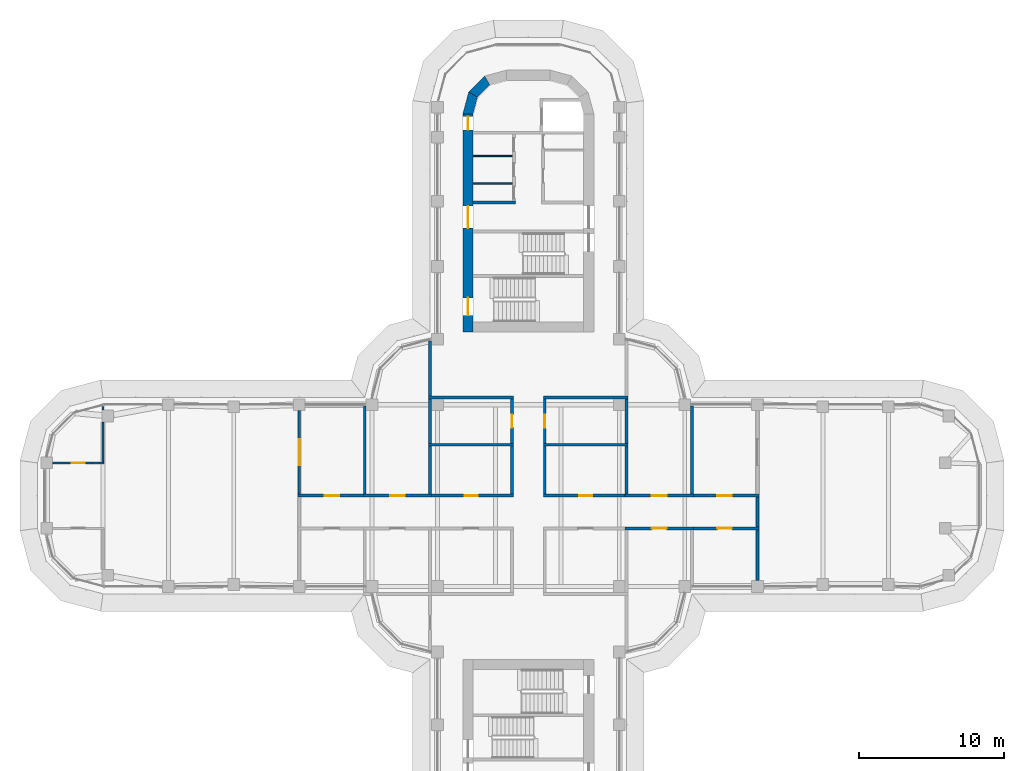
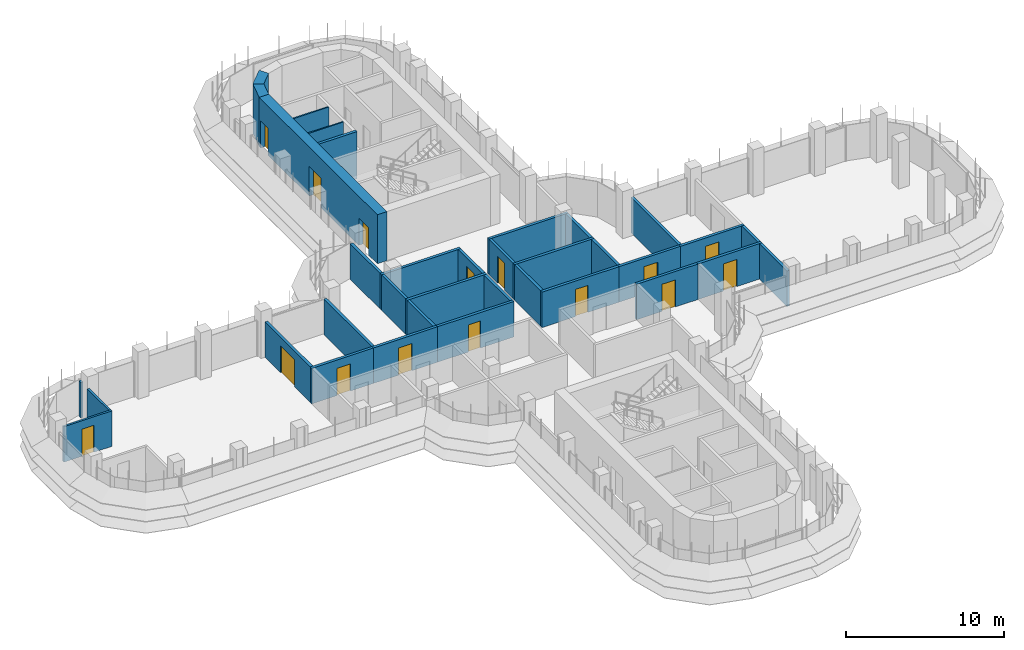
# One storey, part 14 of 20: 35 walls, 15 doors, 15 openings.
"""IFC4 building model written with IfcOpenShell, lengths in metres."""

from ifc_helpers import new_model, si_unit, direction, frame, frame_2d, origin, place, context, subcontext, project, spatial, polyline, rectangle, outline, extrude, material, layer, layer_set, type_object, element, fill, save


model = new_model("IFC4")

# Units and contexts
model_context = context("Model", 3, precision=1e-05, world=origin(), true_north=direction((0.0, 1.0)))
body_context = subcontext(model_context, "Body", "Model", "MODEL_VIEW")
ifc_project = project(units=[si_unit("LENGTHUNIT", "METRE"), si_unit("AREAUNIT", "SQUARE_METRE"), si_unit("VOLUMEUNIT", "CUBIC_METRE"), si_unit("PLANEANGLEUNIT", "RADIAN"), si_unit("MASSUNIT", "GRAM", prefix="KILO")], contexts=[model_context])

# Site, building, storey
site_placement = place(None, origin())
site = spatial("IfcSite", under=ifc_project, at=site_placement, CompositionType="ELEMENT")
building_placement = place(site_placement, origin())
building = spatial("IfcBuilding", under=site, at=building_placement, Name="Zarbagh Exchange Tower", CompositionType="ELEMENT")
storey_placement = place(building_placement, frame((0.0, 0.0, 163.800048828125)))
storey = spatial("IfcBuildingStorey", under=building, at=storey_placement, Name="L39", CompositionType="ELEMENT", Elevation=163.800048828125)

# Walls
ifc_material_1 = material(Name="Dense blockwork", Category="masonry")
ifc_layer_1 = layer(ifc_material_1, 0.10009765625)
ifc_layer_set_1 = layer_set([ifc_layer_1], Name="Core partition 100 mm blockwork")
wall_type_1 = type_object("IfcWallType", Name="Core partition 100 mm blockwork", PredefinedType="PARTITIONING", material=ifc_layer_set_1)
for number, where, z_axis, x_axis, name in (
    (1, (-3.800048828125, 23.35009765625, 0.0), (0.0, 0.0, 1.0), (1.0, 0.0, 0.0), "North core partition wall CUT-W-500"),
    (2, (-3.800048828125, 21.449951171875, 0.0), (0.0, 0.0, 1.0), (1.0, 0.0, 0.0), "North core partition wall CUT-W-690"),
):
    element("IfcWall", number, at=place(storey_placement, frame(where, z_axis=z_axis, x_axis=x_axis)), inside=storey, type_object=wall_type_1, Name=name, PredefinedType="PARTITIONING", context=body_context, shape_type="SweptSolid", body=[
        extrude(rectangle(XDim=2.699951171875, YDim=0.10009765625, at=frame_2d((1.35009765625, 0.0))), origin(), (0.0, 0.0, 1.0), 3.64990234375),
    ])

# Wall, opening, door
ifc_material_2 = material(Name="Plasterboard partition")
ifc_layer_2 = layer(ifc_material_2, 0.14990234375)
ifc_layer_set_2 = layer_set([ifc_layer_2], Name="PARTITION 150")
wall_type_2 = type_object("IfcWallType", Name="PARTITION 150", PredefinedType="PARTITIONING", material=ifc_layer_set_2)
wall_1_placement = place(storey_placement, frame((-32.7099609375, 2.25, 0.0), z_axis=(0.0, 0.0, 1.0), x_axis=(1.0, 0.0, 0.0)))
wall_1 = element("IfcWall", 3, at=wall_1_placement, inside=storey, type_object=wall_type_2, Name="Partition W-1746", PredefinedType="PARTITIONING", context=body_context, shape_type="SweptSolid", body=[
    extrude(rectangle(XDim=3.534912109375, YDim=0.14990234375, at=frame_2d((1.767578125, 0.0))), origin(), (0.0, 0.0, 1.0), 2.75),
])
opening_1_placement = place(wall_1_placement, frame((1.3173828125, 0.0, 0.0)))
opening_1 = element("IfcOpeningElement", 4, at=opening_1_placement, cuts=wall_1, Name="Opening D-1715", PredefinedType="OPENING", context=body_context, shape_type="SweptSolid", body=[
    extrude(rectangle(XDim=0.89990234375, YDim=2.10009765625, at=frame_2d((0.449951171875, 1.050048828125))), frame((0.0, 0.0849609375, 0.0), z_axis=(0.0, -1.0, 0.0), x_axis=(1.0, 0.0, 0.0)), (0.0, 0.0, 1.0), 0.169921875),
])
ifc_material_3 = material(Name="Timber door leaf", Category="wood")
door_type_1 = type_object("IfcDoorType", Name="DOOR 900 X 2100", OperationType="NOTDEFINED", PredefinedType="DOOR", material=ifc_material_3)
door_1_placement = place(opening_1_placement, origin())
door_1 = element("IfcDoor", 5, at=door_1_placement, inside=storey, type_object=door_type_1, Name="Door D-1715", OperationType="SINGLE_SWING_LEFT", OverallHeight=2.10009765625, OverallWidth=0.89990234375, PredefinedType="DOOR", context=body_context, shape_type="SweptSolid", body=[
    extrude(rectangle(XDim=0.89990234375, YDim=2.10009765625, at=frame_2d((0.449951171875, 1.050048828125))), frame((0.0, 0.02490234375, 0.0), z_axis=(0.0, -1.0, 0.0), x_axis=(1.0, 0.0, 0.0)), (0.0, 0.0, 1.0), 0.050048828125),
])
fill(opening_1, door_1)

# Walls
wall_2_placement = place(storey_placement, frame((-29.25, 2.324951171875, 0.0), z_axis=(0.0, 0.0, 1.0), x_axis=(0.0, 1.0, 0.0)))
element("IfcWall", 6, at=wall_2_placement, inside=storey, type_object=wall_type_2, Name="Partition W-1747", PredefinedType="PARTITIONING", context=body_context, shape_type="SweptSolid", body=[
    extrude(rectangle(XDim=2.75, YDim=0.14990234375, at=frame_2d((1.375, 0.0))), origin(), (0.0, 0.0, 1.0), 2.75),
])
wall_3_placement = place(storey_placement, frame((-29.25, 5.875, 0.0), z_axis=(0.0, 0.0, 1.0), x_axis=(0.0, 1.0, 0.0)))
element("IfcWall", 7, at=wall_3_placement, inside=storey, type_object=wall_type_2, Name="Partition W-1748", PredefinedType="PARTITIONING", context=body_context, shape_type="SweptSolid", body=[
    extrude(rectangle(XDim=0.2548828125, YDim=0.14990234375, at=frame_2d((0.12744140625, 0.0))), origin(), (0.0, 0.0, 1.0), 2.75),
])

# Wall, opening, door
ifc_material_4 = material(Name="Fire-rated plasterboard partition")
ifc_layer_3 = layer(ifc_material_4, 0.199951171875)
ifc_layer_set_3 = layer_set([ifc_layer_3], Name="RATED PARTITION 200")
wall_type_3 = type_object("IfcWallType", Name="RATED PARTITION 200", PredefinedType="PARTITIONING", material=ifc_layer_set_3)
wall_4_placement = place(storey_placement, frame((1.02490234375, 0.0, 0.0), z_axis=(0.0, 0.0, 1.0), x_axis=(1.0, 0.0, 0.0)))
wall_4 = element("IfcWall", 8, at=wall_4_placement, inside=storey, type_object=wall_type_3, Name="Partition W-1701", PredefinedType="PARTITIONING", context=body_context, shape_type="SweptSolid", body=[
    extrude(rectangle(XDim=5.8251953125, YDim=0.199951171875, at=frame_2d((2.91259765625, 0.0))), origin(), (0.0, 0.0, 1.0), 2.75),
])
opening_2_placement = place(wall_4_placement, frame((2.46240234375, 0.0, 0.0)))
opening_2 = element("IfcOpeningElement", 9, at=opening_2_placement, cuts=wall_4, Name="Opening D-1704", PredefinedType="OPENING", context=body_context, shape_type="SweptSolid", body=[
    extrude(rectangle(XDim=0.89990234375, YDim=2.10009765625, at=frame_2d((0.449951171875, 1.050048828125))), frame((0.0, 0.10986328125, 0.0), z_axis=(0.0, -1.0, 0.0), x_axis=(1.0, 0.0, 0.0)), (0.0, 0.0, 1.0), 0.219970703125),
])
door_2_placement = place(opening_2_placement, origin())
door_2 = element("IfcDoor", 10, at=door_2_placement, inside=storey, type_object=door_type_1, Name="Door D-1704", OperationType="SINGLE_SWING_RIGHT", OverallHeight=2.10009765625, OverallWidth=0.89990234375, PredefinedType="DOOR", context=body_context, shape_type="SweptSolid", body=[
    extrude(rectangle(XDim=0.89990234375, YDim=2.10009765625, at=frame_2d((0.449951171875, 1.050048828125))), frame((0.0, 0.02490234375, 0.0), z_axis=(0.0, -1.0, 0.0), x_axis=(1.0, 0.0, 0.0)), (0.0, 0.0, 1.0), 0.050048828125),
])
fill(opening_2, door_2)

wall_5_placement = place(storey_placement, frame((6.64990234375, 0.0, 0.0), z_axis=(0.0, 0.0, 1.0), x_axis=(1.0, 0.0, 0.0)))
wall_5 = element("IfcWall", 11, at=wall_5_placement, inside=storey, type_object=wall_type_3, Name="Partition W-1702", PredefinedType="PARTITIONING", context=body_context, shape_type="SweptSolid", body=[
    extrude(rectangle(XDim=4.7001953125, YDim=0.199951171875, at=frame_2d((2.35009765625, 0.0))), origin(), (0.0, 0.0, 1.0), 2.75),
])
opening_3_placement = place(wall_5_placement, frame((1.85009765625, 0.0, 0.0)))
opening_3 = element("IfcOpeningElement", 12, at=opening_3_placement, cuts=wall_5, Name="Opening D-1706", PredefinedType="OPENING", context=body_context, shape_type="SweptSolid", body=[
    extrude(rectangle(XDim=1.0, YDim=2.10009765625, at=frame_2d((0.5, 1.050048828125))), frame((0.0, 0.10986328125, 0.0), z_axis=(0.0, -1.0, 0.0), x_axis=(1.0, 0.0, 0.0)), (0.0, 0.0, 1.0), 0.219970703125),
])
ifc_material_5 = material(Name="Steel door set", Category="steel")
door_type_2 = type_object("IfcDoorType", Name="FIRE DOOR 1000 X 2100 FD30S", OperationType="NOTDEFINED", PredefinedType="DOOR", material=ifc_material_5)
door_3_placement = place(opening_3_placement, origin())
door_3 = element("IfcDoor", 13, at=door_3_placement, inside=storey, type_object=door_type_2, Name="Door D-1706", OperationType="SINGLE_SWING_RIGHT", OverallHeight=2.10009765625, OverallWidth=1.0, PredefinedType="DOOR", context=body_context, shape_type="SweptSolid", body=[
    extrude(rectangle(XDim=1.0, YDim=2.10009765625, at=frame_2d((0.5, 1.050048828125))), frame((0.0, 0.02490234375, 0.0), z_axis=(0.0, -1.0, 0.0), x_axis=(1.0, 0.0, 0.0)), (0.0, 0.0, 1.0), 0.050048828125),
])
fill(opening_3, door_3)

wall_6_placement = place(storey_placement, frame((-6.85009765625, 0.0, 0.0), z_axis=(0.0, 0.0, 1.0), x_axis=(1.0, 0.0, 0.0)))
wall_6 = element("IfcWall", 14, at=wall_6_placement, inside=storey, type_object=wall_type_3, Name="Partition W-1703", PredefinedType="PARTITIONING", context=body_context, shape_type="SweptSolid", body=[
    extrude(rectangle(XDim=5.8251953125, YDim=0.199951171875, at=frame_2d((2.91259765625, 0.0))), origin(), (0.0, 0.0, 1.0), 2.75),
])
opening_4_placement = place(wall_6_placement, frame((2.46240234375, 0.0, 0.0)))
opening_4 = element("IfcOpeningElement", 15, at=opening_4_placement, cuts=wall_6, Name="Opening D-1707", PredefinedType="OPENING", context=body_context, shape_type="SweptSolid", body=[
    extrude(rectangle(XDim=0.89990234375, YDim=2.10009765625, at=frame_2d((0.449951171875, 1.050048828125))), frame((0.0, 0.10986328125, 0.0), z_axis=(0.0, -1.0, 0.0), x_axis=(1.0, 0.0, 0.0)), (0.0, 0.0, 1.0), 0.219970703125),
])
door_4_placement = place(opening_4_placement, origin())
door_4 = element("IfcDoor", 16, at=door_4_placement, inside=storey, type_object=door_type_1, Name="Door D-1707", OperationType="SINGLE_SWING_RIGHT", OverallHeight=2.10009765625, OverallWidth=0.89990234375, PredefinedType="DOOR", context=body_context, shape_type="SweptSolid", body=[
    extrude(rectangle(XDim=0.89990234375, YDim=2.10009765625, at=frame_2d((0.449951171875, 1.050048828125))), frame((0.0, 0.02490234375, 0.0), z_axis=(0.0, -1.0, 0.0), x_axis=(1.0, 0.0, 0.0)), (0.0, 0.0, 1.0), 0.050048828125),
])
fill(opening_4, door_4)

wall_7_placement = place(storey_placement, frame((-11.35009765625, 0.0, 0.0), z_axis=(0.0, 0.0, 1.0), x_axis=(1.0, 0.0, 0.0)))
wall_7 = element("IfcWall", 17, at=wall_7_placement, inside=storey, type_object=wall_type_3, Name="Partition W-1704", PredefinedType="PARTITIONING", context=body_context, shape_type="SweptSolid", body=[
    extrude(rectangle(XDim=4.7001953125, YDim=0.199951171875, at=frame_2d((2.35009765625, 0.0))), origin(), (0.0, 0.0, 1.0), 2.75),
])
opening_5_placement = place(wall_7_placement, frame((1.85009765625, 0.0, 0.0)))
opening_5 = element("IfcOpeningElement", 18, at=opening_5_placement, cuts=wall_7, Name="Opening D-1709", PredefinedType="OPENING", context=body_context, shape_type="SweptSolid", body=[
    extrude(rectangle(XDim=1.0, YDim=2.10009765625, at=frame_2d((0.5, 1.050048828125))), frame((0.0, 0.10986328125, 0.0), z_axis=(0.0, -1.0, 0.0), x_axis=(1.0, 0.0, 0.0)), (0.0, 0.0, 1.0), 0.219970703125),
])
door_5_placement = place(opening_5_placement, origin())
door_5 = element("IfcDoor", 19, at=door_5_placement, inside=storey, type_object=door_type_2, Name="Door D-1709", OperationType="SINGLE_SWING_RIGHT", OverallHeight=2.10009765625, OverallWidth=1.0, PredefinedType="DOOR", context=body_context, shape_type="SweptSolid", body=[
    extrude(rectangle(XDim=1.0, YDim=2.10009765625, at=frame_2d((0.5, 1.050048828125))), frame((0.0, 0.02490234375, 0.0), z_axis=(0.0, -1.0, 0.0), x_axis=(1.0, 0.0, 0.0)), (0.0, 0.0, 1.0), 0.050048828125),
])
fill(opening_5, door_5)

wall_8_placement = place(storey_placement, frame((11.35009765625, -2.25, 0.0), z_axis=(0.0, 0.0, 1.0), x_axis=(-1.0, 0.0, 0.0)))
wall_8 = element("IfcWall", 20, at=wall_8_placement, inside=storey, type_object=wall_type_3, Name="Partition W-1706", PredefinedType="PARTITIONING", context=body_context, shape_type="SweptSolid", body=[
    extrude(rectangle(XDim=4.7001953125, YDim=0.199951171875, at=frame_2d((2.35009765625, 0.0))), origin(), (0.0, 0.0, 1.0), 2.75),
])
opening_6_placement = place(wall_8_placement, frame((1.85009765625, 0.0, 0.0)))
opening_6 = element("IfcOpeningElement", 21, at=opening_6_placement, cuts=wall_8, Name="Opening D-1711", PredefinedType="OPENING", context=body_context, shape_type="SweptSolid", body=[
    extrude(rectangle(XDim=1.0, YDim=2.10009765625, at=frame_2d((0.5, 1.050048828125))), frame((0.0, 0.10986328125, 0.0), z_axis=(0.0, -1.0, 0.0), x_axis=(1.0, 0.0, 0.0)), (0.0, 0.0, 1.0), 0.219970703125),
])
door_6_placement = place(opening_6_placement, origin())
door_6 = element("IfcDoor", 22, at=door_6_placement, inside=storey, type_object=door_type_2, Name="Door D-1711", OperationType="SINGLE_SWING_RIGHT", OverallHeight=2.10009765625, OverallWidth=1.0, PredefinedType="DOOR", context=body_context, shape_type="SweptSolid", body=[
    extrude(rectangle(XDim=1.0, YDim=2.10009765625, at=frame_2d((0.5, 1.050048828125))), frame((0.0, 0.02490234375, 0.0), z_axis=(0.0, -1.0, 0.0), x_axis=(1.0, 0.0, 0.0)), (0.0, 0.0, 1.0), 0.050048828125),
])
fill(opening_6, door_6)

wall_9_placement = place(storey_placement, frame((11.14990234375, 0.0, 0.0), z_axis=(0.0, 0.0, 1.0), x_axis=(1.0, 0.0, 0.0)))
wall_9 = element("IfcWall", 23, at=wall_9_placement, inside=storey, type_object=wall_type_3, Name="Partition W-1709", PredefinedType="PARTITIONING", context=body_context, shape_type="SweptSolid", body=[
    extrude(rectangle(XDim=4.7001953125, YDim=0.199951171875, at=frame_2d((2.35009765625, 0.0))), origin(), (0.0, 0.0, 1.0), 2.75),
])
opening_7_placement = place(wall_9_placement, frame((1.85009765625, 0.0, 0.0)))
opening_7 = element("IfcOpeningElement", 24, at=opening_7_placement, cuts=wall_9, Name="Opening D-1702", PredefinedType="OPENING", context=body_context, shape_type="SweptSolid", body=[
    extrude(rectangle(XDim=1.0, YDim=2.10009765625, at=frame_2d((0.5, 1.050048828125))), frame((0.0, 0.10986328125, 0.0), z_axis=(0.0, -1.0, 0.0), x_axis=(1.0, 0.0, 0.0)), (0.0, 0.0, 1.0), 0.219970703125),
])
door_7_placement = place(opening_7_placement, origin())
door_7 = element("IfcDoor", 25, at=door_7_placement, inside=storey, type_object=door_type_2, Name="Door D-1702", OperationType="SINGLE_SWING_RIGHT", OverallHeight=2.10009765625, OverallWidth=1.0, PredefinedType="DOOR", context=body_context, shape_type="SweptSolid", body=[
    extrude(rectangle(XDim=1.0, YDim=2.10009765625, at=frame_2d((0.5, 1.050048828125))), frame((0.0, 0.02490234375, 0.0), z_axis=(0.0, -1.0, 0.0), x_axis=(1.0, 0.0, 0.0)), (0.0, 0.0, 1.0), 0.050048828125),
])
fill(opening_7, door_7)

wall_10_placement = place(storey_placement, frame((15.85009765625, -2.25, 0.0), z_axis=(0.0, 0.0, 1.0), x_axis=(-1.0, 0.0, 0.0)))
wall_10 = element("IfcWall", 26, at=wall_10_placement, inside=storey, type_object=wall_type_3, Name="Partition W-1710", PredefinedType="PARTITIONING", context=body_context, shape_type="SweptSolid", body=[
    extrude(rectangle(XDim=4.7001953125, YDim=0.199951171875, at=frame_2d((2.35009765625, 0.0))), origin(), (0.0, 0.0, 1.0), 2.75),
])
opening_8_placement = place(wall_10_placement, frame((1.85009765625, 0.0, 0.0)))
opening_8 = element("IfcOpeningElement", 27, at=opening_8_placement, cuts=wall_10, Name="Opening D-1703", PredefinedType="OPENING", context=body_context, shape_type="SweptSolid", body=[
    extrude(rectangle(XDim=1.0, YDim=2.10009765625, at=frame_2d((0.5, 1.050048828125))), frame((0.0, 0.10986328125, 0.0), z_axis=(0.0, -1.0, 0.0), x_axis=(1.0, 0.0, 0.0)), (0.0, 0.0, 1.0), 0.219970703125),
])
door_8_placement = place(opening_8_placement, origin())
door_8 = element("IfcDoor", 28, at=door_8_placement, inside=storey, type_object=door_type_2, Name="Door D-1703", OperationType="SINGLE_SWING_RIGHT", OverallHeight=2.10009765625, OverallWidth=1.0, PredefinedType="DOOR", context=body_context, shape_type="SweptSolid", body=[
    extrude(rectangle(XDim=1.0, YDim=2.10009765625, at=frame_2d((0.5, 1.050048828125))), frame((0.0, 0.02490234375, 0.0), z_axis=(0.0, -1.0, 0.0), x_axis=(1.0, 0.0, 0.0)), (0.0, 0.0, 1.0), 0.050048828125),
])
fill(opening_8, door_8)

# Wall
wall_11_placement = place(storey_placement, frame((15.75, -2.14990234375, 0.0), z_axis=(0.0, 0.0, 1.0), x_axis=(0.0, 1.0, 0.0)))
element("IfcWall", 29, at=wall_11_placement, inside=storey, type_object=wall_type_3, Name="Partition W-1711", PredefinedType="PARTITIONING", context=body_context, shape_type="SweptSolid", body=[
    extrude(rectangle(XDim=2.0498046875, YDim=0.199951171875, at=frame_2d((1.02490234375, 0.0))), origin(), (0.0, 0.0, 1.0), 2.75),
])

# Wall, opening, door
wall_12_placement = place(storey_placement, frame((-15.85009765625, 0.0, 0.0), z_axis=(0.0, 0.0, 1.0), x_axis=(1.0, 0.0, 0.0)))
wall_12 = element("IfcWall", 30, at=wall_12_placement, inside=storey, type_object=wall_type_3, Name="Partition W-1712", PredefinedType="PARTITIONING", context=body_context, shape_type="SweptSolid", body=[
    extrude(rectangle(XDim=4.7001953125, YDim=0.199951171875, at=frame_2d((2.35009765625, 0.0))), origin(), (0.0, 0.0, 1.0), 2.75),
])
opening_9_placement = place(wall_12_placement, frame((1.85009765625, 0.0, 0.0)))
opening_9 = element("IfcOpeningElement", 31, at=opening_9_placement, cuts=wall_12, Name="Opening D-1718", PredefinedType="OPENING", context=body_context, shape_type="SweptSolid", body=[
    extrude(rectangle(XDim=1.0, YDim=2.10009765625, at=frame_2d((0.5, 1.050048828125))), frame((0.0, 0.10986328125, 0.0), z_axis=(0.0, -1.0, 0.0), x_axis=(1.0, 0.0, 0.0)), (0.0, 0.0, 1.0), 0.219970703125),
])
door_9_placement = place(opening_9_placement, origin())
door_9 = element("IfcDoor", 32, at=door_9_placement, inside=storey, type_object=door_type_2, Name="Door D-1718", OperationType="SINGLE_SWING_RIGHT", OverallHeight=2.10009765625, OverallWidth=1.0, PredefinedType="DOOR", context=body_context, shape_type="SweptSolid", body=[
    extrude(rectangle(XDim=1.0, YDim=2.10009765625, at=frame_2d((0.5, 1.050048828125))), frame((0.0, 0.02490234375, 0.0), z_axis=(0.0, -1.0, 0.0), x_axis=(1.0, 0.0, 0.0)), (0.0, 0.0, 1.0), 0.050048828125),
])
fill(opening_9, door_9)

# Wall
wall_13_placement = place(storey_placement, frame((1.125, 0.10009765625, 0.0), z_axis=(0.0, 0.0, 1.0), x_axis=(0.0, 1.0, 0.0)))
element("IfcWall", 33, at=wall_13_placement, inside=storey, type_object=wall_type_3, Name="Partition W-1715", PredefinedType="PARTITIONING", context=body_context, shape_type="SweptSolid", body=[
    extrude(rectangle(XDim=3.2998046875, YDim=0.199951171875, at=frame_2d((1.64990234375, 0.0))), origin(), (0.0, 0.0, 1.0), 2.75),
])

# Wall, opening, door
wall_14_placement = place(storey_placement, frame((1.125, 6.64990234375, 0.0), z_axis=(0.0, 0.0, 1.0), x_axis=(0.0, -1.0, 0.0)))
wall_14 = element("IfcWall", 34, at=wall_14_placement, inside=storey, type_object=wall_type_3, Name="Partition W-1716", PredefinedType="PARTITIONING", context=body_context, shape_type="SweptSolid", body=[
    extrude(rectangle(XDim=3.0498046875, YDim=0.199951171875, at=frame_2d((1.52490234375, 0.0))), origin(), (0.0, 0.0, 1.0), 2.75),
])
opening_10_placement = place(wall_14_placement, frame((1.074951171875, 0.0, 0.0)))
opening_10 = element("IfcOpeningElement", 35, at=opening_10_placement, cuts=wall_14, Name="Opening D-1705", PredefinedType="OPENING", context=body_context, shape_type="SweptSolid", body=[
    extrude(rectangle(XDim=0.89990234375, YDim=2.10009765625, at=frame_2d((0.449951171875, 1.050048828125))), frame((0.0, 0.10986328125, 0.0), z_axis=(0.0, -1.0, 0.0), x_axis=(1.0, 0.0, 0.0)), (0.0, 0.0, 1.0), 0.219970703125),
])
door_10_placement = place(opening_10_placement, origin())
door_10 = element("IfcDoor", 36, at=door_10_placement, inside=storey, type_object=door_type_1, Name="Door D-1705", OperationType="SINGLE_SWING_RIGHT", OverallHeight=2.10009765625, OverallWidth=0.89990234375, PredefinedType="DOOR", context=body_context, shape_type="SweptSolid", body=[
    extrude(rectangle(XDim=0.89990234375, YDim=2.10009765625, at=frame_2d((0.449951171875, 1.050048828125))), frame((0.0, 0.02490234375, 0.0), z_axis=(0.0, -1.0, 0.0), x_axis=(1.0, 0.0, 0.0)), (0.0, 0.0, 1.0), 0.050048828125),
])
fill(opening_10, door_10)

# Wall
wall_15_placement = place(storey_placement, frame((-1.125, 0.10009765625, 0.0), z_axis=(0.0, 0.0, 1.0), x_axis=(0.0, 1.0, 0.0)))
element("IfcWall", 37, at=wall_15_placement, inside=storey, type_object=wall_type_3, Name="Partition W-1717", PredefinedType="PARTITIONING", context=body_context, shape_type="SweptSolid", body=[
    extrude(rectangle(XDim=3.2998046875, YDim=0.199951171875, at=frame_2d((1.64990234375, 0.0))), origin(), (0.0, 0.0, 1.0), 2.75),
])

# Wall, opening, door
wall_16_placement = place(storey_placement, frame((-1.125, 3.60009765625, 0.0), z_axis=(0.0, 0.0, 1.0), x_axis=(0.0, 1.0, 0.0)))
wall_16 = element("IfcWall", 38, at=wall_16_placement, inside=storey, type_object=wall_type_3, Name="Partition W-1718", PredefinedType="PARTITIONING", context=body_context, shape_type="SweptSolid", body=[
    extrude(rectangle(XDim=3.0498046875, YDim=0.199951171875, at=frame_2d((1.52490234375, 0.0))), origin(), (0.0, 0.0, 1.0), 2.75),
])
opening_11_placement = place(wall_16_placement, frame((1.074951171875, 0.0, 0.0)))
opening_11 = element("IfcOpeningElement", 39, at=opening_11_placement, cuts=wall_16, Name="Opening D-1708", PredefinedType="OPENING", context=body_context, shape_type="SweptSolid", body=[
    extrude(rectangle(XDim=0.89990234375, YDim=2.10009765625, at=frame_2d((0.449951171875, 1.050048828125))), frame((0.0, 0.10986328125, 0.0), z_axis=(0.0, -1.0, 0.0), x_axis=(1.0, 0.0, 0.0)), (0.0, 0.0, 1.0), 0.219970703125),
])
door_11_placement = place(opening_11_placement, origin())
door_11 = element("IfcDoor", 40, at=door_11_placement, inside=storey, type_object=door_type_1, Name="Door D-1708", OperationType="SINGLE_SWING_LEFT", OverallHeight=2.10009765625, OverallWidth=0.89990234375, PredefinedType="DOOR", context=body_context, shape_type="SweptSolid", body=[
    extrude(rectangle(XDim=0.89990234375, YDim=2.10009765625, at=frame_2d((0.449951171875, 1.050048828125))), frame((0.0, 0.02490234375, 0.0), z_axis=(0.0, -1.0, 0.0), x_axis=(1.0, 0.0, 0.0)), (0.0, 0.0, 1.0), 0.050048828125),
])
fill(opening_11, door_11)

# Walls
for number, where, z_axis, x_axis, name in (
    (41, (1.02490234375, 6.75, 0.0), (0.0, 0.0, 1.0), (1.0, 0.0, 0.0), "Partition W-1721"),
    (42, (-6.85009765625, 6.75, 0.0), (0.0, 0.0, 1.0), (1.0, 0.0, 0.0), "Partition W-1723"),
):
    element("IfcWall", number, at=place(storey_placement, frame(where, z_axis=z_axis, x_axis=x_axis)), inside=storey, type_object=wall_type_3, Name=name, PredefinedType="PARTITIONING", context=body_context, shape_type="SweptSolid", body=[
        extrude(rectangle(XDim=5.8251953125, YDim=0.199951171875, at=frame_2d((2.91259765625, 0.0))), origin(), (0.0, 0.0, 1.0), 2.75),
    ])
wall_17_placement = place(storey_placement, frame((-6.75, 6.85009765625, 0.0), z_axis=(0.0, 0.0, 1.0), x_axis=(0.0, 1.0, 0.0)))
element("IfcWall", 43, at=wall_17_placement, inside=storey, type_object=wall_type_3, Name="Partition W-1724", PredefinedType="PARTITIONING", context=body_context, shape_type="SweptSolid", body=[
    extrude(rectangle(XDim=3.77978515625, YDim=0.199951171875, at=frame_2d((1.889892578125, 0.0))), origin(), (0.0, 0.0, 1.0), 2.75),
])
wall_18_placement = place(storey_placement, frame((1.02490234375, 3.5, 0.0), z_axis=(0.0, 0.0, 1.0), x_axis=(1.0, 0.0, 0.0)))
element("IfcWall", 44, at=wall_18_placement, inside=storey, type_object=wall_type_3, Name="Partition W-1729", PredefinedType="PARTITIONING", context=body_context, shape_type="SweptSolid", body=[
    extrude(rectangle(XDim=5.8251953125, YDim=0.199951171875, at=frame_2d((2.91259765625, 0.0))), origin(), (0.0, 0.0, 1.0), 2.75),
])
wall_19_placement = place(storey_placement, frame((6.75, 0.10009765625, 0.0), z_axis=(0.0, 0.0, 1.0), x_axis=(0.0, 1.0, 0.0)))
element("IfcWall", 45, at=wall_19_placement, inside=storey, type_object=wall_type_3, Name="Partition W-1730", PredefinedType="PARTITIONING", context=body_context, shape_type="SweptSolid", body=[
    extrude(rectangle(XDim=3.2998046875, YDim=0.199951171875, at=frame_2d((1.64990234375, 0.0))), origin(), (0.0, 0.0, 1.0), 2.75),
])
wall_20_placement = place(storey_placement, frame((6.75, 3.60009765625, 0.0), z_axis=(0.0, 0.0, 1.0), x_axis=(0.0, 1.0, 0.0)))
element("IfcWall", 46, at=wall_20_placement, inside=storey, type_object=wall_type_3, Name="Partition W-1731", PredefinedType="PARTITIONING", context=body_context, shape_type="SweptSolid", body=[
    extrude(rectangle(XDim=3.0498046875, YDim=0.199951171875, at=frame_2d((1.52490234375, 0.0))), origin(), (0.0, 0.0, 1.0), 2.75),
])
wall_21_placement = place(storey_placement, frame((11.25, 0.10009765625, 0.0), z_axis=(0.0, 0.0, 1.0), x_axis=(0.0, 1.0, 0.0)))
element("IfcWall", 47, at=wall_21_placement, inside=storey, type_object=wall_type_3, Name="Partition W-1732", PredefinedType="PARTITIONING", context=body_context, shape_type="SweptSolid", body=[
    extrude(rectangle(XDim=6.06982421875, YDim=0.199951171875, at=frame_2d((3.034912109375, 0.0))), origin(), (0.0, 0.0, 1.0), 2.75),
])
wall_22_placement = place(storey_placement, frame((-6.85009765625, 3.5, 0.0), z_axis=(0.0, 0.0, 1.0), x_axis=(1.0, 0.0, 0.0)))
element("IfcWall", 48, at=wall_22_placement, inside=storey, type_object=wall_type_3, Name="Partition W-1733", PredefinedType="PARTITIONING", context=body_context, shape_type="SweptSolid", body=[
    extrude(rectangle(XDim=5.8251953125, YDim=0.199951171875, at=frame_2d((2.91259765625, 0.0))), origin(), (0.0, 0.0, 1.0), 2.75),
])
wall_23_placement = place(storey_placement, frame((-6.75, 0.10009765625, 0.0), z_axis=(0.0, 0.0, 1.0), x_axis=(0.0, 1.0, 0.0)))
element("IfcWall", 49, at=wall_23_placement, inside=storey, type_object=wall_type_3, Name="Partition W-1734", PredefinedType="PARTITIONING", context=body_context, shape_type="SweptSolid", body=[
    extrude(rectangle(XDim=3.2998046875, YDim=0.199951171875, at=frame_2d((1.64990234375, 0.0))), origin(), (0.0, 0.0, 1.0), 2.75),
])
wall_24_placement = place(storey_placement, frame((-6.75, 3.60009765625, 0.0), z_axis=(0.0, 0.0, 1.0), x_axis=(0.0, 1.0, 0.0)))
element("IfcWall", 50, at=wall_24_placement, inside=storey, type_object=wall_type_3, Name="Partition W-1735", PredefinedType="PARTITIONING", context=body_context, shape_type="SweptSolid", body=[
    extrude(rectangle(XDim=3.0498046875, YDim=0.199951171875, at=frame_2d((1.52490234375, 0.0))), origin(), (0.0, 0.0, 1.0), 2.75),
])
wall_25_placement = place(storey_placement, frame((-11.25, 0.10009765625, 0.0), z_axis=(0.0, 0.0, 1.0), x_axis=(0.0, 1.0, 0.0)))
element("IfcWall", 51, at=wall_25_placement, inside=storey, type_object=wall_type_3, Name="Partition W-1736", PredefinedType="PARTITIONING", context=body_context, shape_type="SweptSolid", body=[
    extrude(rectangle(XDim=6.06982421875, YDim=0.199951171875, at=frame_2d((3.034912109375, 0.0))), origin(), (0.0, 0.0, 1.0), 2.75),
])
wall_26_placement = place(storey_placement, frame((15.75, -5.85009765625, 0.0), z_axis=(0.0, 0.0, 1.0), x_axis=(0.0, 1.0, 0.0)))
element("IfcWall", 52, at=wall_26_placement, inside=storey, type_object=wall_type_3, Name="Partition W-1743", PredefinedType="PARTITIONING", context=body_context, shape_type="SweptSolid", body=[
    extrude(rectangle(XDim=3.5, YDim=0.199951171875, at=frame_2d((1.75, 0.0))), origin(), (0.0, 0.0, 1.0), 2.75),
])

# Wall, opening, door
wall_27_placement = place(storey_placement, frame((-15.75, 0.10009765625, 0.0), z_axis=(0.0, 0.0, 1.0), x_axis=(0.0, 1.0, 0.0)))
wall_27 = element("IfcWall", 53, at=wall_27_placement, inside=storey, type_object=wall_type_3, Name="Partition W-1744", PredefinedType="PARTITIONING", context=body_context, shape_type="SweptSolid", body=[
    extrude(rectangle(XDim=5.75, YDim=0.199951171875, at=frame_2d((2.875, 0.0))), origin(), (0.0, 0.0, 1.0), 2.75),
])
opening_12_placement = place(wall_27_placement, frame((1.97509765625, 0.0, 0.0)))
opening_12 = element("IfcOpeningElement", 54, at=opening_12_placement, cuts=wall_27, Name="Opening D-1717", PredefinedType="OPENING", context=body_context, shape_type="SweptSolid", body=[
    extrude(rectangle(XDim=1.800048828125, YDim=2.10009765625, at=frame_2d((0.89990234375, 1.050048828125))), frame((0.0, 0.10986328125, 0.0), z_axis=(0.0, -1.0, 0.0), x_axis=(1.0, 0.0, 0.0)), (0.0, 0.0, 1.0), 0.219970703125),
])
door_type_3 = type_object("IfcDoorType", Name="FIRE DOUBLE DOOR 1800 X 2100 FD30S", OperationType="DOUBLE_DOOR_SINGLE_SWING", PredefinedType="DOOR", material=ifc_material_5)
door_12_placement = place(opening_12_placement, origin())
door_12 = element("IfcDoor", 55, at=door_12_placement, inside=storey, type_object=door_type_3, Name="Door D-1717", OperationType="DOUBLE_DOOR_SINGLE_SWING", OverallHeight=2.10009765625, OverallWidth=1.800048828125, PredefinedType="DOOR", context=body_context, shape_type="SweptSolid", body=[
    extrude(rectangle(XDim=1.800048828125, YDim=2.10009765625, at=frame_2d((0.89990234375, 1.050048828125))), frame((0.0, 0.02490234375, 0.0), z_axis=(0.0, -1.0, 0.0), x_axis=(1.0, 0.0, 0.0)), (0.0, 0.0, 1.0), 0.050048828125),
])
fill(opening_12, door_12)

# Walls
ifc_material_6 = material(Name="Concrete C50/60", Category="concrete")
ifc_layer_4 = layer(ifc_material_6, 0.699951171875)
ifc_layer_set_4 = layer_set([ifc_layer_4], Name="RC core corner wall 700 C50/60")
wall_type_4 = type_object("IfcWallType", Name="RC core corner wall 700 C50/60", PredefinedType="SHEAR", material=ifc_layer_set_4)
wall_28_placement = place(storey_placement, origin())
element("IfcWall", 56, at=wall_28_placement, inside=storey, type_object=wall_type_4, Name="CW6 core N corner W", PredefinedType="SHEAR", context=body_context, shape_type="SweptSolid", body=[
    extrude(outline(polyline([(-4.5, 26.25), (-4.09814453125, 27.75), (-3.491943359375, 27.39990234375), (-3.800048828125, 26.25), (-4.5, 26.25)])), origin(), (0.0, 0.0, 1.0), 3.800048828125),
])
wall_29_placement = place(storey_placement, origin())
element("IfcWall", 57, at=wall_29_placement, inside=storey, type_object=wall_type_4, Name="CW6 core N corner W", PredefinedType="SHEAR", context=body_context, shape_type="SweptSolid", body=[
    extrude(outline(polyline([(-4.09814453125, 27.75), (-3.0, 28.84814453125), (-2.64990234375, 28.241943359375), (-3.491943359375, 27.39990234375), (-4.09814453125, 27.75)])), origin(), (0.0, 0.0, 1.0), 3.800048828125),
])

# Wall, openings, doors
ifc_layer_5 = layer(ifc_material_6, 0.699951171875)
ifc_layer_set_5 = layer_set([ifc_layer_5], Name="RC core wall 700 C50/60")
wall_type_5 = type_object("IfcWallType", Name="RC core wall 700 C50/60", PredefinedType="SHEAR", material=ifc_layer_set_5)
wall_30_placement = place(storey_placement, frame((-4.14990234375, 11.25, 0.0), z_axis=(0.0, 0.0, 1.0), x_axis=(0.0, 1.0, 0.0)))
wall_30 = element("IfcWall", 58, at=wall_30_placement, inside=storey, type_object=wall_type_5, Name="CW5 core N W", PredefinedType="SHEAR", context=body_context, shape_type="SweptSolid", body=[
    extrude(rectangle(XDim=15.0, YDim=0.699951171875, at=frame_2d((7.5, 0.0))), origin(), (0.0, 0.0, 1.0), 3.800048828125),
])
opening_13_placement = place(wall_30_placement, frame((7.14990234375, 0.0, 0.0)))
opening_13 = element("IfcOpeningElement", 59, at=opening_13_placement, cuts=wall_30, Name="Opening CD1-1500", PredefinedType="OPENING", context=body_context, shape_type="SweptSolid", body=[
    extrude(rectangle(XDim=1.5, YDim=2.300048828125, at=frame_2d((0.75, 1.14990234375))), frame((0.0, 0.35986328125, 0.0), z_axis=(0.0, -1.0, 0.0), x_axis=(1.0, 0.0, 0.0)), (0.0, 0.0, 1.0), 0.719970703125),
])
opening_14_placement = place(wall_30_placement, frame((13.89990234375, 0.0, 0.0)))
opening_14 = element("IfcOpeningElement", 60, at=opening_14_placement, cuts=wall_30, Name="Opening CD2-900", PredefinedType="OPENING", context=body_context, shape_type="SweptSolid", body=[
    extrude(rectangle(XDim=0.89990234375, YDim=2.10009765625, at=frame_2d((0.449951171875, 1.050048828125))), frame((0.0, 0.35986328125, 0.0), z_axis=(0.0, -1.0, 0.0), x_axis=(1.0, 0.0, 0.0)), (0.0, 0.0, 1.0), 0.719970703125),
])
opening_15_placement = place(wall_30_placement, frame((1.14990234375, 0.0, 0.0)))
opening_15 = element("IfcOpeningElement", 61, at=opening_15_placement, cuts=wall_30, Name="Opening SD1-1200", PredefinedType="OPENING", context=body_context, shape_type="SweptSolid", body=[
    extrude(rectangle(XDim=1.199951171875, YDim=2.10009765625, at=frame_2d((0.60009765625, 1.050048828125))), frame((0.0, 0.35986328125, 0.0), z_axis=(0.0, -1.0, 0.0), x_axis=(1.0, 0.0, 0.0)), (0.0, 0.0, 1.0), 0.719970703125),
])
ifc_material_7 = material(Name="Steel", Category="steel")
door_type_4 = type_object("IfcDoorType", Name="Exit stair door 1200 x 2100", OperationType="NOTDEFINED", PredefinedType="DOOR", material=ifc_material_7)
door_13_placement = place(opening_15_placement, origin())
door_13 = element("IfcDoor", 62, at=door_13_placement, inside=storey, type_object=door_type_4, Name="North core stair door ST2", OperationType="SINGLE_SWING_RIGHT", OverallHeight=2.10009765625, OverallWidth=1.199951171875, PredefinedType="DOOR", context=body_context, shape_type="SweptSolid", body=[
    extrude(rectangle(XDim=1.199951171875, YDim=2.10009765625, at=frame_2d((0.60009765625, 1.050048828125))), frame((0.0, 0.02490234375, 0.0), z_axis=(0.0, -1.0, 0.0), x_axis=(1.0, 0.0, 0.0)), (0.0, 0.0, 1.0), 0.050048828125),
])
fill(opening_15, door_13)
door_type_5 = type_object("IfcDoorType", Name="Firefighting lobby door 900 x 2100", OperationType="NOTDEFINED", PredefinedType="DOOR", material=ifc_material_7)
door_14_placement = place(opening_14_placement, origin())
door_14 = element("IfcDoor", 63, at=door_14_placement, inside=storey, type_object=door_type_5, Name="North core firefighting lobby door FF-W", OperationType="SINGLE_SWING_RIGHT", OverallHeight=2.10009765625, OverallWidth=0.89990234375, PredefinedType="DOOR", context=body_context, shape_type="SweptSolid", body=[
    extrude(rectangle(XDim=0.89990234375, YDim=2.10009765625, at=frame_2d((0.449951171875, 1.050048828125))), frame((0.0, 0.02490234375, 0.0), z_axis=(0.0, -1.0, 0.0), x_axis=(1.0, 0.0, 0.0)), (0.0, 0.0, 1.0), 0.050048828125),
])
fill(opening_14, door_14)
door_type_6 = type_object("IfcDoorType", Name="Lift lobby double door 1500 x 2300", OperationType="NOTDEFINED", PredefinedType="DOOR", material=ifc_material_7)
door_15_placement = place(opening_13_placement, origin())
door_15 = element("IfcDoor", 64, at=door_15_placement, inside=storey, type_object=door_type_6, Name="North core lift lobby door LOBBY-W", OperationType="DOUBLE_DOOR_SINGLE_SWING", OverallHeight=2.300048828125, OverallWidth=1.5, PredefinedType="DOOR", context=body_context, shape_type="SweptSolid", body=[
    extrude(rectangle(XDim=1.5, YDim=2.300048828125, at=frame_2d((0.75, 1.14990234375))), frame((0.0, 0.02490234375, 0.0), z_axis=(0.0, -1.0, 0.0), x_axis=(1.0, 0.0, 0.0)), (0.0, 0.0, 1.0), 0.050048828125),
])
fill(opening_13, door_15)

# Wall
ifc_layer_6 = layer(ifc_material_1, 0.199951171875)
ifc_layer_set_6 = layer_set([ifc_layer_6], Name="Shaft wall 200 mm blockwork")
wall_type_6 = type_object("IfcWallType", Name="Shaft wall 200 mm blockwork", PredefinedType="PARTITIONING", material=ifc_layer_set_6)
wall_31_placement = place(storey_placement, frame((-3.800048828125, 20.14990234375, 0.0), z_axis=(0.0, 0.0, 1.0), x_axis=(1.0, 0.0, 0.0)))
element("IfcWall", 65, at=wall_31_placement, inside=storey, type_object=wall_type_6, Name="North core shaft wall AB-W", PredefinedType="PARTITIONING", context=body_context, shape_type="SweptSolid", body=[
    extrude(rectangle(XDim=2.900146484375, YDim=0.199951171875, at=frame_2d((1.4501953125, 0.0))), origin(), (0.0, 0.0, 1.0), 3.64990234375),
])

save(model, "model.ifc")
